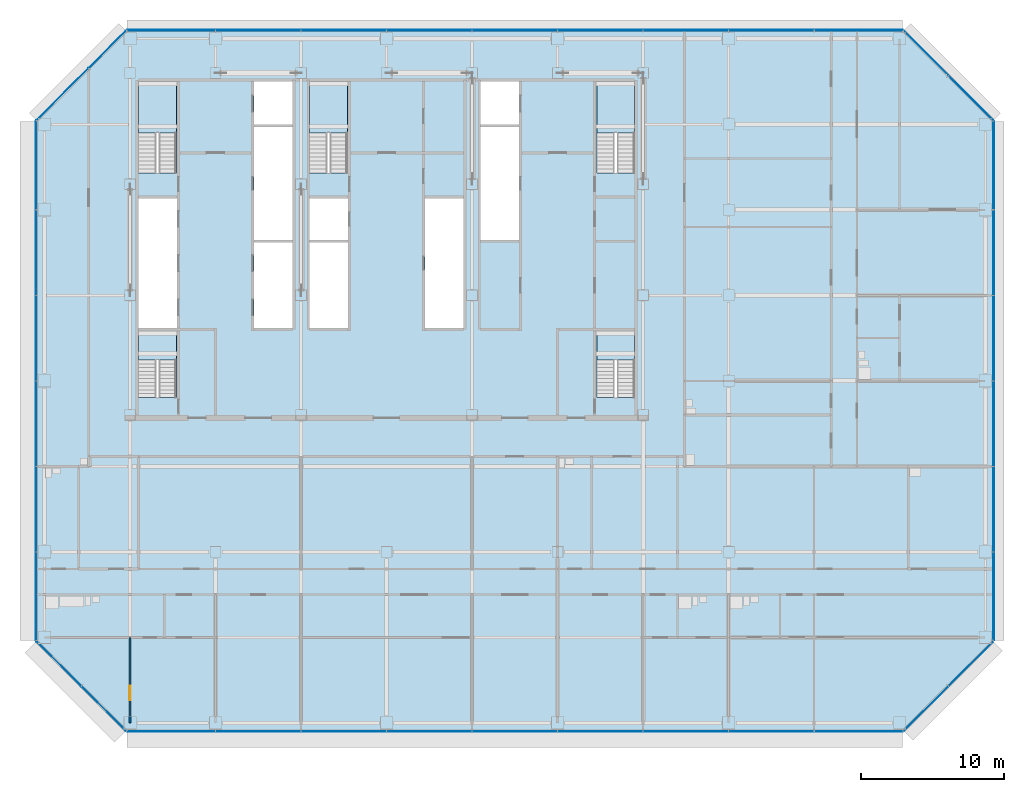
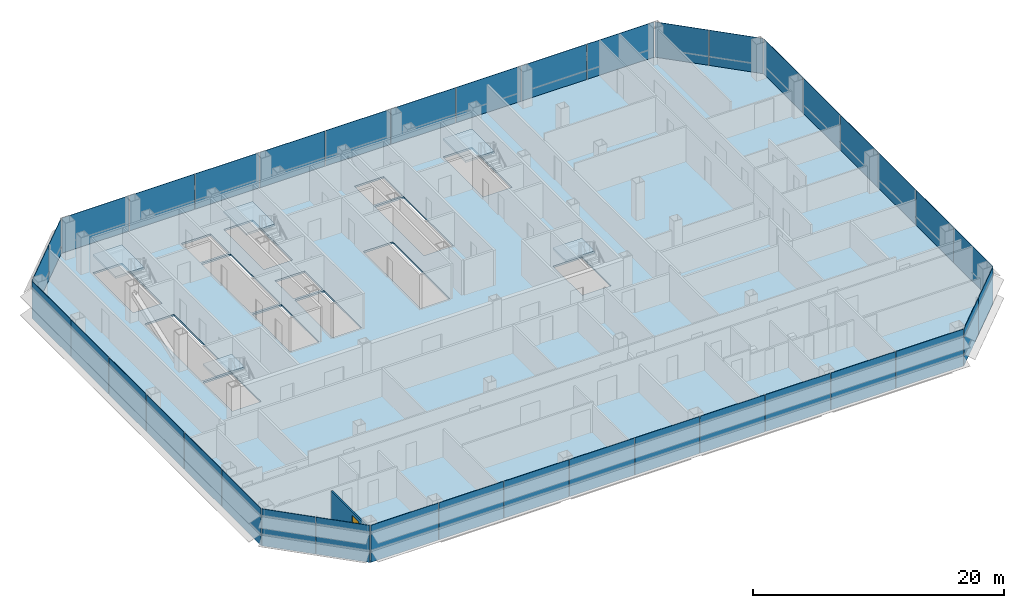
# One storey, part 19 of 27: 38 plates, 6 slabs, 1 door, 1 wall, 1 opening, 13 elements without a shape of their own.
"""IFC4 building model written with IfcOpenShell, lengths in metres."""

import ifcopenshell
import ifcopenshell.guid

model = None  # the IFC model being written
_history = None  # IfcOwnerHistory: only IFC2X3 demands one
_inside = {}  # id of a spatial element -> (the spatial element, [elements in it])
_under = {}  # id of a project, library or spatial element -> (it, [spatial elements below it])
_declared = {}  # id of a project -> (the project, [libraries it declares])
_typed = {}  # id of a type object -> (the type object, [elements of that type])
_made_of = {}  # id of a material, layer set ... -> (it, [elements and type objects made of it])


def new_model(schema):
    """Start an empty IFC model of exactly this schema.

    Asked for "IFC4X3", IfcOpenShell would pick the latest addendum, in which some entities
    have other attributes; the version numbers below select the first issue.
    IFC2X3 requires an IfcOwnerHistory on every rooted entity: one is made here for all.
    """
    global model, _history
    if schema == "IFC4X3":
        model = ifcopenshell.file(schema_version=(4, 3, 0, 0))
    else:
        model = ifcopenshell.file(schema=schema)
    _inside.clear()
    _under.clear()
    _declared.clear()
    _typed.clear()
    _made_of.clear()
    _history = None
    if model.schema == "IFC2X3":
        org = make("IfcOrganization", Name="unknown")
        user = make(
            "IfcPersonAndOrganization",
            ThePerson=make("IfcPerson", FamilyName="unknown"),
            TheOrganization=org,
        )
        app = make(
            "IfcApplication",
            ApplicationDeveloper=org,
            Version="unknown",
            ApplicationFullName="unknown",
            ApplicationIdentifier="unknown",
        )
        _history = make(
            "IfcOwnerHistory",
            OwningUser=user,
            OwningApplication=app,
            ChangeAction="ADDED",
            CreationDate=0,
        )
    return model


def make(cls, **values):
    """One entity of the class cls with the attributes given. An attribute that is None is left unset."""
    return model.create_entity(
        cls, **{name: value for name, value in values.items() if value is not None}
    )


def rooted(cls, **values):
    """An entity with a GlobalId (a new one), such as an element, a storey or a relation."""
    return make(cls, GlobalId=ifcopenshell.guid.new(), OwnerHistory=_history, **values)


def si_unit(unit_type, name, prefix=None):
    """IfcSIUnit, for example si_unit("LENGTHUNIT", "METRE", prefix="MILLI")."""
    return make("IfcSIUnit", UnitType=unit_type, Prefix=prefix, Name=name)


def assignment(units):
    """IfcUnitAssignment: the units of a project."""
    return None if units is None else make("IfcUnitAssignment", Units=units)


def point(xyz):
    """IfcCartesianPoint."""
    return None if xyz is None else make("IfcCartesianPoint", Coordinates=xyz)


def direction(xyz):
    """IfcDirection."""
    return None if xyz is None else make("IfcDirection", DirectionRatios=xyz)


def frame(location, z_axis=None, x_axis=None):
    """IfcAxis2Placement3D, a coordinate frame: its origin and axes. An axis left out is left unset."""
    return make(
        "IfcAxis2Placement3D",
        Location=point(location),
        Axis=direction(z_axis),
        RefDirection=direction(x_axis),
    )


def frame_2d(location, x_axis=None):
    """IfcAxis2Placement2D, a coordinate frame in the plane: its origin and x axis."""
    return make(
        "IfcAxis2Placement2D", Location=point(location), RefDirection=direction(x_axis)
    )


def origin():
    """The frame at (0, 0, 0) with its axes left unset."""
    return frame((0.0, 0.0, 0.0))


def origin_2d():
    """The frame at (0, 0) in the plane with its x axis left unset."""
    return frame_2d((0.0, 0.0))


def place(relative_to, where):
    """IfcLocalPlacement: puts the frame where relative to a parent placement (None: the world)."""
    return make(
        "IfcLocalPlacement", PlacementRelTo=relative_to, RelativePlacement=where
    )


def context(
    kind, dimensions, precision=None, world=None, true_north=None, identifier=None
):
    """IfcGeometricRepresentationContext, for example the 3D "Model" context."""
    return make(
        "IfcGeometricRepresentationContext",
        ContextIdentifier=identifier,
        ContextType=kind,
        CoordinateSpaceDimension=dimensions,
        Precision=precision,
        WorldCoordinateSystem=world,
        TrueNorth=true_north,
    )


def subcontext(parent, identifier, kind, view, scale=None):
    """IfcGeometricRepresentationSubContext, for example "Body" below "Model"."""
    return make(
        "IfcGeometricRepresentationSubContext",
        ContextIdentifier=identifier,
        ContextType=kind,
        ParentContext=parent,
        TargetScale=scale,
        TargetView=view,
    )


def project(units=None, contexts=None):
    """IfcProject with its units and contexts."""
    return rooted(
        "IfcProject",
        Name="project",
        RepresentationContexts=contexts,
        UnitsInContext=assignment(units),
    )


def spatial(cls, under=None, at=None, **own):
    """A site, building, storey or space (cls), placed at a placement, below another one or the project."""
    s = rooted(cls, ObjectPlacement=at, **own)
    if under is not None:
        _under.setdefault(under.id(), (under, []))[1].append(s)
    return s


def polyline(points):
    """IfcPolyline through the points."""
    return make("IfcPolyline", Points=[point(p) for p in points])


def profile(cls, at=None, kind="AREA", **sizes):
    """A parametric profile (cls). Its sizes go by their IFC names, for example OverallWidth=200.0."""
    return make(cls, ProfileType=kind, Position=at, **sizes)


def rectangle(**sizes):
    """IfcRectangleProfileDef."""
    return profile("IfcRectangleProfileDef", **sizes)


def outline(outer, holes=None, kind="AREA"):
    """IfcArbitraryClosedProfileDef: a profile drawn as a closed curve; with holes, ...WithVoids."""
    if holes is None:
        return make("IfcArbitraryClosedProfileDef", ProfileType=kind, OuterCurve=outer)
    return make(
        "IfcArbitraryProfileDefWithVoids",
        ProfileType=kind,
        OuterCurve=outer,
        InnerCurves=holes,
    )


def extrude(swept, where, along, depth):
    """IfcExtrudedAreaSolid: the profile swept, set in the frame where, extruded along a direction by depth."""
    return make(
        "IfcExtrudedAreaSolid",
        SweptArea=swept,
        Position=where,
        ExtrudedDirection=direction(along),
        Depth=depth,
    )


def shape(context_of_items, identifier, shape_type, items):
    """IfcShapeRepresentation: the items that make up one representation, for example the "Body"."""
    return make(
        "IfcShapeRepresentation",
        ContextOfItems=context_of_items,
        RepresentationIdentifier=identifier,
        RepresentationType=shape_type,
        Items=items,
    )


def material(Name=None, Category=None):
    """IfcMaterial."""
    return make("IfcMaterial", Name=Name, Category=Category)


def layer(
    of_material, thickness, ventilated=None, Name=None, Category=None, Priority=None
):
    """IfcMaterialLayer: one layer of a wall or slab, of a material (None: an air gap)."""
    return make(
        "IfcMaterialLayer",
        Material=of_material,
        LayerThickness=thickness,
        IsVentilated=ventilated,
        Name=Name,
        Category=Category,
        Priority=Priority,
    )


def layer_set(layers, Name=None):
    """IfcMaterialLayerSet."""
    return make("IfcMaterialLayerSet", MaterialLayers=layers, LayerSetName=Name)


def made_of(thing, what):
    """Note that an element or type object is made of a material, layer set ...; save() writes the relation."""
    if what is not None:
        _made_of.setdefault(what.id(), (what, []))[1].append(thing)
    return thing


def type_object(cls, material=None, **own):
    """A type object (cls), such as IfcWallType, which elements share."""
    return made_of(rooted(cls, **own), material)


def element(
    cls,
    number,
    at=None,
    inside=None,
    cuts=None,
    type_object=None,
    material=None,
    context=None,
    identifier="Body",
    shape_type=None,
    held_by="IfcProductDefinitionShape",
    body=None,
    shapes=None,
    **own,
):
    """One element of the class cls, such as IfcWall. Its Tag is "e" and its number.

    at: its placement. inside: the storey or other place that contains it. cuts: it is an
    opening in that element (IfcRelVoidsElement). A single representation is given by context,
    identifier, shape_type and body (its items); several are given by shapes. held_by: the class
    of the entity that holds the representations. save() writes the other relations.
    """
    e = rooted(cls, Tag="e%d" % number, ObjectPlacement=at, **own)
    if body is not None:
        shapes = [shape(context, identifier, shape_type, body)]
    if shapes is not None:
        e.Representation = make(held_by, Representations=shapes)
    if inside is not None:
        _inside.setdefault(inside.id(), (inside, []))[1].append(e)
    if cuts is not None:
        rooted(
            "IfcRelVoidsElement", RelatingBuildingElement=cuts, RelatedOpeningElement=e
        )
    if type_object is not None:
        _typed.setdefault(type_object.id(), (type_object, []))[1].append(e)
    return made_of(e, material)


def fill(opening, filler):
    """IfcRelFillsElement: the door or window that sits in an opening."""
    return rooted(
        "IfcRelFillsElement",
        RelatingOpeningElement=opening,
        RelatedBuildingElement=filler,
    )


def aggregate(whole, parts):
    """IfcRelAggregates: a whole, such as a stair, and the parts it consists of."""
    return rooted("IfcRelAggregates", RelatingObject=whole, RelatedObjects=parts)


def save(model, path):
    """Write the relations noted so far, then the file.

    IfcRelAggregates (storeys below a building ...), IfcRelContainedInSpatialStructure (elements
    in a storey), IfcRelDefinesByType, IfcRelAssociatesMaterial and IfcRelDeclares: one each for
    every whole, place, type object, material and project.
    """
    for whole, parts in _under.values():
        aggregate(whole, parts)
    for where, things in _inside.values():
        rooted(
            "IfcRelContainedInSpatialStructure",
            RelatedElements=things,
            RelatingStructure=where,
        )
    for kind, things in _typed.values():
        rooted("IfcRelDefinesByType", RelatedObjects=things, RelatingType=kind)
    for what, things in _made_of.values():
        rooted("IfcRelAssociatesMaterial", RelatedObjects=things, RelatingMaterial=what)
    for by, libraries in _declared.values():
        rooted("IfcRelDeclares", RelatingContext=by, RelatedDefinitions=libraries)
    model.write(path)


model = new_model("IFC4")

# Units and contexts
model_context = context("Model", 3, precision=1e-05, world=origin(), true_north=direction((0.0, 1.0)))
body_context = subcontext(model_context, "Body", "Model", "MODEL_VIEW")
ifc_project = project(units=[si_unit("LENGTHUNIT", "METRE"), si_unit("AREAUNIT", "SQUARE_METRE"), si_unit("VOLUMEUNIT", "CUBIC_METRE"), si_unit("PLANEANGLEUNIT", "RADIAN"), si_unit("MASSUNIT", "GRAM", prefix="KILO")], contexts=[model_context])

# Site, building, storey
site_placement = place(None, origin())
site = spatial("IfcSite", under=ifc_project, at=site_placement, CompositionType="ELEMENT")
building_placement = place(site_placement, origin())
building = spatial("IfcBuilding", under=site, at=building_placement, Name="Sorahane Residences", CompositionType="ELEMENT")
storey_placement = place(building_placement, frame((0.0, 0.0, 49.800048828125)))
storey = spatial("IfcBuildingStorey", under=building, at=storey_placement, Name="L08", CompositionType="ELEMENT", Elevation=49.800048828125)

# Slab
ifc_material_1 = material(Name="Concrete C35", Category="concrete")
ifc_layer_1 = layer(ifc_material_1, 0.179931640625)
ifc_layer_set_1 = layer_set([ifc_layer_1], Name="Composite floor slab 180 mm Concrete C35")
slab_type_1 = type_object("IfcSlabType", Name="Composite floor slab 180 mm Concrete C35", PredefinedType="FLOOR", material=ifc_layer_set_1)
slab_1_placement = place(storey_placement, frame((0.0, 0.0, -0.179931640625)))
element("IfcSlab", 1, at=slab_1_placement, inside=storey, type_object=slab_type_1, Name="Slab L08", PredefinedType="FLOOR", context=body_context, shape_type="SweptSolid", body=[
    extrude(outline(polyline([(5.75146484375, -0.60009765625), (-0.60009765625, 5.75146484375), (-0.60009765625, 42.24853515625), (5.75146484375, 48.60009765625), (60.24853515625, 48.60009765625), (66.60009765625, 42.24853515625), (66.60009765625, 5.75146484375), (60.24853515625, -0.60009765625), (5.75146484375, -0.60009765625)]), holes=[polyline([(18.60009765625, 27.699951171875), (21.300048828125, 27.699951171875), (21.300048828125, 33.699951171875), (18.60009765625, 33.699951171875), (18.60009765625, 27.699951171875)]), polyline([(30.60009765625, 42.0), (33.300048828125, 42.0), (33.300048828125, 45.0), (30.60009765625, 45.0), (30.60009765625, 42.0)]), polyline([(14.699951171875, 27.699951171875), (17.39990234375, 27.699951171875), (17.39990234375, 33.699951171875), (14.699951171875, 33.699951171875), (14.699951171875, 27.699951171875)]), polyline([(14.699951171875, 42.0), (17.39990234375, 42.0), (17.39990234375, 45.0), (14.699951171875, 45.0), (14.699951171875, 42.0)]), polyline([(6.60009765625, 27.699951171875), (9.300048828125, 27.699951171875), (9.300048828125, 36.800048828125), (6.60009765625, 36.800048828125), (6.60009765625, 27.699951171875)]), polyline([(9.25, 38.60009765625), (9.25, 45.0), (6.60009765625, 45.0), (6.60009765625, 38.60009765625), (9.25, 38.60009765625)]), polyline([(41.39990234375, 38.60009765625), (41.39990234375, 45.0), (38.75, 45.0), (38.75, 38.60009765625), (41.39990234375, 38.60009765625)]), polyline([(21.25, 38.60009765625), (21.25, 45.0), (18.60009765625, 45.0), (18.60009765625, 38.60009765625), (21.25, 38.60009765625)]), polyline([(9.25, 22.85009765625), (9.25, 27.5), (6.60009765625, 27.5), (6.60009765625, 22.85009765625), (9.25, 22.85009765625)]), polyline([(41.39990234375, 22.85009765625), (41.39990234375, 27.5), (38.75, 27.5), (38.75, 22.85009765625), (41.39990234375, 22.85009765625)]), polyline([(14.699951171875, 33.89990234375), (17.39990234375, 33.89990234375), (17.39990234375, 41.800048828125), (14.699951171875, 41.800048828125), (14.699951171875, 33.89990234375)]), polyline([(30.60009765625, 33.89990234375), (33.300048828125, 33.89990234375), (33.300048828125, 41.800048828125), (30.60009765625, 41.800048828125), (30.60009765625, 33.89990234375)]), polyline([(18.60009765625, 33.89990234375), (21.300048828125, 33.89990234375), (21.300048828125, 36.800048828125), (18.60009765625, 36.800048828125), (18.60009765625, 33.89990234375)]), polyline([(26.699951171875, 27.699951171875), (29.39990234375, 27.699951171875), (29.39990234375, 36.800048828125), (26.699951171875, 36.800048828125), (26.699951171875, 27.699951171875)])]), origin(), (0.0, 0.0, 1.0), 0.179931640625),
])

# Curtain wall, plates
ifc_material_2 = material(Name="Dark low-e glass and black anodised aluminium", Category="aluminium")
curtain_wall_type_1 = type_object("IfcCurtainWallType", Name="Curtain wall CW-1 Typical unitised wall", PredefinedType="NOTDEFINED", material=ifc_material_2)
curtain_wall_1_placement = place(storey_placement, origin())
curtain_wall_1 = element("IfcCurtainWall", 2, at=curtain_wall_1_placement, inside=storey, type_object=curtain_wall_type_1, Name="CW-1 curtain wall L08 S1", PredefinedType="NOTDEFINED")
ifc_material_3 = material(Name="Dark low-e glass with black ceramic frit", Category="glass")
ifc_layer_2 = layer(ifc_material_3, 0.0400390625)
ifc_layer_set_2 = layer_set([ifc_layer_2], Name="Curtain wall glass panel dark low-e with black frit spandrel band")
plate_type = type_object("IfcPlateType", Name="Curtain wall glass panel dark low-e with black frit spandrel band", PredefinedType="CURTAIN_PANEL", material=ifc_layer_set_2)
plate_1_placement = place(storey_placement, frame((8.88818359375, -0.60009765625, -0.18017578125), z_axis=(0.0, 0.0, 1.0), x_axis=(1.0, 0.0, 0.0)))
plate_1 = element("IfcPlate", 3, at=plate_1_placement, type_object=plate_type, Name="CW-1 glass panel L08 S1.1", PredefinedType="CURTAIN_PANEL", context=body_context, shape_type="SweptSolid", body=[
    extrude(rectangle(XDim=6.173583984375, YDim=0.0400390625, at=origin_2d()), origin(), (0.0, 0.0, 1.0), 3.60009765625),
])
plate_2_placement = place(storey_placement, frame((15.0, -0.60009765625, -0.18017578125), z_axis=(0.0, 0.0, 1.0), x_axis=(1.0, 0.0, 0.0)))
plate_2 = element("IfcPlate", 4, at=plate_2_placement, type_object=plate_type, Name="CW-1 glass panel L08 S1.2", PredefinedType="CURTAIN_PANEL", context=body_context, shape_type="SweptSolid", body=[
    extrude(rectangle(XDim=5.949951171875, YDim=0.0400390625, at=origin_2d()), origin(), (0.0, 0.0, 1.0), 3.60009765625),
])
plate_3_placement = place(storey_placement, frame((21.0, -0.60009765625, -0.18017578125), z_axis=(0.0, 0.0, 1.0), x_axis=(1.0, 0.0, 0.0)))
plate_3 = element("IfcPlate", 5, at=plate_3_placement, type_object=plate_type, Name="CW-1 glass panel L08 S1.3", PredefinedType="CURTAIN_PANEL", context=body_context, shape_type="SweptSolid", body=[
    extrude(rectangle(XDim=5.949951171875, YDim=0.0400390625, at=origin_2d()), origin(), (0.0, 0.0, 1.0), 3.60009765625),
])
plate_4_placement = place(storey_placement, frame((27.0, -0.60009765625, -0.18017578125), z_axis=(0.0, 0.0, 1.0), x_axis=(1.0, 0.0, 0.0)))
plate_4 = element("IfcPlate", 6, at=plate_4_placement, type_object=plate_type, Name="CW-1 glass panel L08 S1.4", PredefinedType="CURTAIN_PANEL", context=body_context, shape_type="SweptSolid", body=[
    extrude(rectangle(XDim=5.949951171875, YDim=0.0400390625, at=origin_2d()), origin(), (0.0, 0.0, 1.0), 3.60009765625),
])
plate_5_placement = place(storey_placement, frame((33.0, -0.60009765625, -0.18017578125), z_axis=(0.0, 0.0, 1.0), x_axis=(1.0, 0.0, 0.0)))
plate_5 = element("IfcPlate", 7, at=plate_5_placement, type_object=plate_type, Name="CW-1 glass panel L08 S1.5", PredefinedType="CURTAIN_PANEL", context=body_context, shape_type="SweptSolid", body=[
    extrude(rectangle(XDim=5.949951171875, YDim=0.0400390625, at=origin_2d()), origin(), (0.0, 0.0, 1.0), 3.60009765625),
])
plate_6_placement = place(storey_placement, frame((39.0, -0.60009765625, -0.18017578125), z_axis=(0.0, 0.0, 1.0), x_axis=(1.0, 0.0, 0.0)))
plate_6 = element("IfcPlate", 8, at=plate_6_placement, type_object=plate_type, Name="CW-1 glass panel L08 S1.6", PredefinedType="CURTAIN_PANEL", context=body_context, shape_type="SweptSolid", body=[
    extrude(rectangle(XDim=5.949951171875, YDim=0.0400390625, at=origin_2d()), origin(), (0.0, 0.0, 1.0), 3.60009765625),
])
plate_7_placement = place(storey_placement, frame((45.0, -0.60009765625, -0.18017578125), z_axis=(0.0, 0.0, 1.0), x_axis=(1.0, 0.0, 0.0)))
plate_7 = element("IfcPlate", 9, at=plate_7_placement, type_object=plate_type, Name="CW-1 glass panel L08 S1.7", PredefinedType="CURTAIN_PANEL", context=body_context, shape_type="SweptSolid", body=[
    extrude(rectangle(XDim=5.949951171875, YDim=0.0400390625, at=origin_2d()), origin(), (0.0, 0.0, 1.0), 3.60009765625),
])
plate_8_placement = place(storey_placement, frame((51.0, -0.60009765625, -0.18017578125), z_axis=(0.0, 0.0, 1.0), x_axis=(1.0, 0.0, 0.0)))
plate_8 = element("IfcPlate", 10, at=plate_8_placement, type_object=plate_type, Name="CW-1 glass panel L08 S1.8", PredefinedType="CURTAIN_PANEL", context=body_context, shape_type="SweptSolid", body=[
    extrude(rectangle(XDim=5.949951171875, YDim=0.0400390625, at=origin_2d()), origin(), (0.0, 0.0, 1.0), 3.60009765625),
])
plate_9_placement = place(storey_placement, frame((57.11181640625, -0.60009765625, -0.18017578125), z_axis=(0.0, 0.0, 1.0), x_axis=(1.0, 0.0, 0.0)))
plate_9 = element("IfcPlate", 11, at=plate_9_placement, type_object=plate_type, Name="CW-1 glass panel L08 S1.9", PredefinedType="CURTAIN_PANEL", context=body_context, shape_type="SweptSolid", body=[
    extrude(rectangle(XDim=6.173583984375, YDim=0.0400390625, at=origin_2d()), origin(), (0.0, 0.0, 1.0), 3.60009765625),
])
aggregate(curtain_wall_1, [plate_1, plate_2, plate_3, plate_4, plate_5, plate_6, plate_7, plate_8, plate_9])

ifc_material_4 = material(Name="Dark low-e glass and black anodised aluminium", Category="aluminium")
curtain_wall_type_2 = type_object("IfcCurtainWallType", Name="Curtain wall CW-2 Chamfer unitised wall", PredefinedType="NOTDEFINED", material=ifc_material_4)
curtain_wall_2_placement = place(storey_placement, origin())
curtain_wall_2 = element("IfcCurtainWall", 12, at=curtain_wall_2_placement, inside=storey, type_object=curtain_wall_type_2, Name="CW-2 curtain wall L08 SE1", PredefinedType="NOTDEFINED")
plate_10_placement = place(storey_placement, frame((61.84521484375, 0.996826171875, -0.18017578125), z_axis=(0.0, 0.0, 1.0), x_axis=(0.707106781187, 0.707106781187, 0.0)))
plate_10 = element("IfcPlate", 13, at=plate_10_placement, type_object=plate_type, Name="CW-2 glass panel L08 SE1.1", PredefinedType="CURTAIN_PANEL", context=body_context, shape_type="SweptSolid", body=[
    extrude(rectangle(XDim=4.416259765625, YDim=0.0400390625, at=origin_2d()), origin(), (0.0, 0.0, 1.0), 3.60009765625),
])
plate_11_placement = place(storey_placement, frame((65.003173828125, 4.15478515625, -0.18017578125), z_axis=(0.0, 0.0, 1.0), x_axis=(0.707106781187, 0.707106781187, 0.0)))
plate_11 = element("IfcPlate", 14, at=plate_11_placement, type_object=plate_type, Name="CW-2 glass panel L08 SE1.2", PredefinedType="CURTAIN_PANEL", context=body_context, shape_type="SweptSolid", body=[
    extrude(rectangle(XDim=4.416259765625, YDim=0.0400390625, at=origin_2d()), origin(), (0.0, 0.0, 1.0), 3.60009765625),
])
aggregate(curtain_wall_2, [plate_10, plate_11])

curtain_wall_3_placement = place(storey_placement, origin())
curtain_wall_3 = element("IfcCurtainWall", 15, at=curtain_wall_3_placement, inside=storey, type_object=curtain_wall_type_1, Name="CW-1 curtain wall L08 E1", PredefinedType="NOTDEFINED")
plate_12_placement = place(storey_placement, frame((66.60009765625, 8.88818359375, -0.18017578125), z_axis=(0.0, 0.0, 1.0), x_axis=(0.0, 1.0, 0.0)))
plate_12 = element("IfcPlate", 16, at=plate_12_placement, type_object=plate_type, Name="CW-1 glass panel L08 E1.1", PredefinedType="CURTAIN_PANEL", context=body_context, shape_type="SweptSolid", body=[
    extrude(rectangle(XDim=6.173583984375, YDim=0.0400390625, at=origin_2d()), origin(), (0.0, 0.0, 1.0), 3.60009765625),
])
plate_13_placement = place(storey_placement, frame((66.60009765625, 15.0, -0.18017578125), z_axis=(0.0, 0.0, 1.0), x_axis=(0.0, 1.0, 0.0)))
plate_13 = element("IfcPlate", 17, at=plate_13_placement, type_object=plate_type, Name="CW-1 glass panel L08 E1.2", PredefinedType="CURTAIN_PANEL", context=body_context, shape_type="SweptSolid", body=[
    extrude(rectangle(XDim=5.949951171875, YDim=0.0400390625, at=origin_2d()), origin(), (0.0, 0.0, 1.0), 3.60009765625),
])
plate_14_placement = place(storey_placement, frame((66.60009765625, 21.0, -0.18017578125), z_axis=(0.0, 0.0, 1.0), x_axis=(0.0, 1.0, 0.0)))
plate_14 = element("IfcPlate", 18, at=plate_14_placement, type_object=plate_type, Name="CW-1 glass panel L08 E1.3", PredefinedType="CURTAIN_PANEL", context=body_context, shape_type="SweptSolid", body=[
    extrude(rectangle(XDim=5.949951171875, YDim=0.0400390625, at=origin_2d()), origin(), (0.0, 0.0, 1.0), 3.60009765625),
])
plate_15_placement = place(storey_placement, frame((66.60009765625, 27.0, -0.18017578125), z_axis=(0.0, 0.0, 1.0), x_axis=(0.0, 1.0, 0.0)))
plate_15 = element("IfcPlate", 19, at=plate_15_placement, type_object=plate_type, Name="CW-1 glass panel L08 E1.4", PredefinedType="CURTAIN_PANEL", context=body_context, shape_type="SweptSolid", body=[
    extrude(rectangle(XDim=5.949951171875, YDim=0.0400390625, at=origin_2d()), origin(), (0.0, 0.0, 1.0), 3.60009765625),
])
plate_16_placement = place(storey_placement, frame((66.60009765625, 33.0, -0.18017578125), z_axis=(0.0, 0.0, 1.0), x_axis=(0.0, 1.0, 0.0)))
plate_16 = element("IfcPlate", 20, at=plate_16_placement, type_object=plate_type, Name="CW-1 glass panel L08 E1.5", PredefinedType="CURTAIN_PANEL", context=body_context, shape_type="SweptSolid", body=[
    extrude(rectangle(XDim=5.949951171875, YDim=0.0400390625, at=origin_2d()), origin(), (0.0, 0.0, 1.0), 3.60009765625),
])
plate_17_placement = place(storey_placement, frame((66.60009765625, 39.11181640625, -0.18017578125), z_axis=(0.0, 0.0, 1.0), x_axis=(0.0, 1.0, 0.0)))
plate_17 = element("IfcPlate", 21, at=plate_17_placement, type_object=plate_type, Name="CW-1 glass panel L08 E1.6", PredefinedType="CURTAIN_PANEL", context=body_context, shape_type="SweptSolid", body=[
    extrude(rectangle(XDim=6.173583984375, YDim=0.0400390625, at=origin_2d()), origin(), (0.0, 0.0, 1.0), 3.60009765625),
])
aggregate(curtain_wall_3, [plate_12, plate_13, plate_14, plate_15, plate_16, plate_17])

curtain_wall_4_placement = place(storey_placement, origin())
curtain_wall_4 = element("IfcCurtainWall", 22, at=curtain_wall_4_placement, inside=storey, type_object=curtain_wall_type_2, Name="CW-2 curtain wall L08 NE1", PredefinedType="NOTDEFINED")
plate_18_placement = place(storey_placement, frame((65.003173828125, 43.84521484375, -0.18017578125), z_axis=(0.0, 0.0, 1.0), x_axis=(-0.707106781187, 0.707106781187, 0.0)))
plate_18 = element("IfcPlate", 23, at=plate_18_placement, type_object=plate_type, Name="CW-2 glass panel L08 NE1.1", PredefinedType="CURTAIN_PANEL", context=body_context, shape_type="SweptSolid", body=[
    extrude(rectangle(XDim=4.416259765625, YDim=0.0400390625, at=origin_2d()), origin(), (0.0, 0.0, 1.0), 3.60009765625),
])
plate_19_placement = place(storey_placement, frame((61.84521484375, 47.003173828125, -0.18017578125), z_axis=(0.0, 0.0, 1.0), x_axis=(-0.707106781187, 0.707106781187, 0.0)))
plate_19 = element("IfcPlate", 24, at=plate_19_placement, type_object=plate_type, Name="CW-2 glass panel L08 NE1.2", PredefinedType="CURTAIN_PANEL", context=body_context, shape_type="SweptSolid", body=[
    extrude(rectangle(XDim=4.416259765625, YDim=0.0400390625, at=origin_2d()), origin(), (0.0, 0.0, 1.0), 3.60009765625),
])
aggregate(curtain_wall_4, [plate_18, plate_19])

curtain_wall_5_placement = place(storey_placement, origin())
curtain_wall_5 = element("IfcCurtainWall", 25, at=curtain_wall_5_placement, inside=storey, type_object=curtain_wall_type_1, Name="CW-1 curtain wall L08 N1", PredefinedType="NOTDEFINED")
plate_20_placement = place(storey_placement, frame((57.11181640625, 48.60009765625, -0.18017578125), z_axis=(0.0, 0.0, 1.0), x_axis=(-1.0, 0.0, 0.0)))
plate_20 = element("IfcPlate", 26, at=plate_20_placement, type_object=plate_type, Name="CW-1 glass panel L08 N1.1", PredefinedType="CURTAIN_PANEL", context=body_context, shape_type="SweptSolid", body=[
    extrude(rectangle(XDim=6.173583984375, YDim=0.0400390625, at=origin_2d()), origin(), (0.0, 0.0, 1.0), 3.60009765625),
])
plate_21_placement = place(storey_placement, frame((51.0, 48.60009765625, -0.18017578125), z_axis=(0.0, 0.0, 1.0), x_axis=(-1.0, 0.0, 0.0)))
plate_21 = element("IfcPlate", 27, at=plate_21_placement, type_object=plate_type, Name="CW-1 glass panel L08 N1.2", PredefinedType="CURTAIN_PANEL", context=body_context, shape_type="SweptSolid", body=[
    extrude(rectangle(XDim=5.949951171875, YDim=0.0400390625, at=origin_2d()), origin(), (0.0, 0.0, 1.0), 3.60009765625),
])
plate_22_placement = place(storey_placement, frame((45.0, 48.60009765625, -0.18017578125), z_axis=(0.0, 0.0, 1.0), x_axis=(-1.0, 0.0, 0.0)))
plate_22 = element("IfcPlate", 28, at=plate_22_placement, type_object=plate_type, Name="CW-1 glass panel L08 N1.3", PredefinedType="CURTAIN_PANEL", context=body_context, shape_type="SweptSolid", body=[
    extrude(rectangle(XDim=5.949951171875, YDim=0.0400390625, at=origin_2d()), origin(), (0.0, 0.0, 1.0), 3.60009765625),
])
plate_23_placement = place(storey_placement, frame((39.0, 48.60009765625, -0.18017578125), z_axis=(0.0, 0.0, 1.0), x_axis=(-1.0, 0.0, 0.0)))
plate_23 = element("IfcPlate", 29, at=plate_23_placement, type_object=plate_type, Name="CW-1 glass panel L08 N1.4", PredefinedType="CURTAIN_PANEL", context=body_context, shape_type="SweptSolid", body=[
    extrude(rectangle(XDim=5.949951171875, YDim=0.0400390625, at=origin_2d()), origin(), (0.0, 0.0, 1.0), 3.60009765625),
])
plate_24_placement = place(storey_placement, frame((33.0, 48.60009765625, -0.18017578125), z_axis=(0.0, 0.0, 1.0), x_axis=(-1.0, 0.0, 0.0)))
plate_24 = element("IfcPlate", 30, at=plate_24_placement, type_object=plate_type, Name="CW-1 glass panel L08 N1.5", PredefinedType="CURTAIN_PANEL", context=body_context, shape_type="SweptSolid", body=[
    extrude(rectangle(XDim=5.949951171875, YDim=0.0400390625, at=origin_2d()), origin(), (0.0, 0.0, 1.0), 3.60009765625),
])
plate_25_placement = place(storey_placement, frame((27.0, 48.60009765625, -0.18017578125), z_axis=(0.0, 0.0, 1.0), x_axis=(-1.0, 0.0, 0.0)))
plate_25 = element("IfcPlate", 31, at=plate_25_placement, type_object=plate_type, Name="CW-1 glass panel L08 N1.6", PredefinedType="CURTAIN_PANEL", context=body_context, shape_type="SweptSolid", body=[
    extrude(rectangle(XDim=5.949951171875, YDim=0.0400390625, at=origin_2d()), origin(), (0.0, 0.0, 1.0), 3.60009765625),
])
plate_26_placement = place(storey_placement, frame((21.0, 48.60009765625, -0.18017578125), z_axis=(0.0, 0.0, 1.0), x_axis=(-1.0, 0.0, 0.0)))
plate_26 = element("IfcPlate", 32, at=plate_26_placement, type_object=plate_type, Name="CW-1 glass panel L08 N1.7", PredefinedType="CURTAIN_PANEL", context=body_context, shape_type="SweptSolid", body=[
    extrude(rectangle(XDim=5.949951171875, YDim=0.0400390625, at=origin_2d()), origin(), (0.0, 0.0, 1.0), 3.60009765625),
])
plate_27_placement = place(storey_placement, frame((15.0, 48.60009765625, -0.18017578125), z_axis=(0.0, 0.0, 1.0), x_axis=(-1.0, 0.0, 0.0)))
plate_27 = element("IfcPlate", 33, at=plate_27_placement, type_object=plate_type, Name="CW-1 glass panel L08 N1.8", PredefinedType="CURTAIN_PANEL", context=body_context, shape_type="SweptSolid", body=[
    extrude(rectangle(XDim=5.949951171875, YDim=0.0400390625, at=origin_2d()), origin(), (0.0, 0.0, 1.0), 3.60009765625),
])
plate_28_placement = place(storey_placement, frame((8.88818359375, 48.60009765625, -0.18017578125), z_axis=(0.0, 0.0, 1.0), x_axis=(-1.0, 0.0, 0.0)))
plate_28 = element("IfcPlate", 34, at=plate_28_placement, type_object=plate_type, Name="CW-1 glass panel L08 N1.9", PredefinedType="CURTAIN_PANEL", context=body_context, shape_type="SweptSolid", body=[
    extrude(rectangle(XDim=6.173583984375, YDim=0.0400390625, at=origin_2d()), origin(), (0.0, 0.0, 1.0), 3.60009765625),
])
aggregate(curtain_wall_5, [plate_20, plate_21, plate_22, plate_23, plate_24, plate_25, plate_26, plate_27, plate_28])

curtain_wall_6_placement = place(storey_placement, origin())
curtain_wall_6 = element("IfcCurtainWall", 35, at=curtain_wall_6_placement, inside=storey, type_object=curtain_wall_type_2, Name="CW-2 curtain wall L08 NW1", PredefinedType="NOTDEFINED")
plate_29_placement = place(storey_placement, frame((4.4169921875, 47.265625, -0.18017578125), z_axis=(0.0, 0.0, 1.0), x_axis=(-0.707106781187, -0.707106781187, 0.0)))
plate_29 = element("IfcPlate", 36, at=plate_29_placement, type_object=plate_type, Name="CW-2 glass panel L08 NW1.1", PredefinedType="CURTAIN_PANEL", context=body_context, shape_type="SweptSolid", body=[
    extrude(rectangle(XDim=3.67431640625, YDim=0.0400390625, at=origin_2d()), origin(), (0.0, 0.0, 1.0), 3.60009765625),
])
plate_30_placement = place(storey_placement, frame((1.259033203125, 44.107421875, -0.18017578125), z_axis=(0.0, 0.0, 1.0), x_axis=(-0.707106781187, -0.707106781187, 0.0)))
plate_30 = element("IfcPlate", 37, at=plate_30_placement, type_object=plate_type, Name="CW-2 glass panel L08 NW1.2", PredefinedType="CURTAIN_PANEL", context=body_context, shape_type="SweptSolid", body=[
    extrude(rectangle(XDim=5.157958984375, YDim=0.0400390625, at=origin_2d()), origin(), (0.0, 0.0, 1.0), 3.60009765625),
])
aggregate(curtain_wall_6, [plate_29, plate_30])

curtain_wall_7_placement = place(storey_placement, origin())
curtain_wall_7 = element("IfcCurtainWall", 38, at=curtain_wall_7_placement, inside=storey, type_object=curtain_wall_type_1, Name="CW-1 curtain wall L08 W1", PredefinedType="NOTDEFINED")
plate_31_placement = place(storey_placement, frame((-0.60009765625, 39.11181640625, -0.18017578125), z_axis=(0.0, 0.0, 1.0), x_axis=(0.0, -1.0, 0.0)))
plate_31 = element("IfcPlate", 39, at=plate_31_placement, type_object=plate_type, Name="CW-1 glass panel L08 W1.1", PredefinedType="CURTAIN_PANEL", context=body_context, shape_type="SweptSolid", body=[
    extrude(rectangle(XDim=6.173583984375, YDim=0.0400390625, at=origin_2d()), origin(), (0.0, 0.0, 1.0), 3.60009765625),
])
plate_32_placement = place(storey_placement, frame((-0.60009765625, 33.0, -0.18017578125), z_axis=(0.0, 0.0, 1.0), x_axis=(0.0, -1.0, 0.0)))
plate_32 = element("IfcPlate", 40, at=plate_32_placement, type_object=plate_type, Name="CW-1 glass panel L08 W1.2", PredefinedType="CURTAIN_PANEL", context=body_context, shape_type="SweptSolid", body=[
    extrude(rectangle(XDim=5.949951171875, YDim=0.0400390625, at=origin_2d()), origin(), (0.0, 0.0, 1.0), 3.60009765625),
])
plate_33_placement = place(storey_placement, frame((-0.60009765625, 27.0, -0.18017578125), z_axis=(0.0, 0.0, 1.0), x_axis=(0.0, -1.0, 0.0)))
plate_33 = element("IfcPlate", 41, at=plate_33_placement, type_object=plate_type, Name="CW-1 glass panel L08 W1.3", PredefinedType="CURTAIN_PANEL", context=body_context, shape_type="SweptSolid", body=[
    extrude(rectangle(XDim=5.949951171875, YDim=0.0400390625, at=origin_2d()), origin(), (0.0, 0.0, 1.0), 3.60009765625),
])
plate_34_placement = place(storey_placement, frame((-0.60009765625, 21.0, -0.18017578125), z_axis=(0.0, 0.0, 1.0), x_axis=(0.0, -1.0, 0.0)))
plate_34 = element("IfcPlate", 42, at=plate_34_placement, type_object=plate_type, Name="CW-1 glass panel L08 W1.4", PredefinedType="CURTAIN_PANEL", context=body_context, shape_type="SweptSolid", body=[
    extrude(rectangle(XDim=5.949951171875, YDim=0.0400390625, at=origin_2d()), origin(), (0.0, 0.0, 1.0), 3.60009765625),
])
plate_35_placement = place(storey_placement, frame((-0.60009765625, 15.0, -0.18017578125), z_axis=(0.0, 0.0, 1.0), x_axis=(0.0, -1.0, 0.0)))
plate_35 = element("IfcPlate", 43, at=plate_35_placement, type_object=plate_type, Name="CW-1 glass panel L08 W1.5", PredefinedType="CURTAIN_PANEL", context=body_context, shape_type="SweptSolid", body=[
    extrude(rectangle(XDim=5.949951171875, YDim=0.0400390625, at=origin_2d()), origin(), (0.0, 0.0, 1.0), 3.60009765625),
])
plate_36_placement = place(storey_placement, frame((-0.60009765625, 8.88818359375, -0.18017578125), z_axis=(0.0, 0.0, 1.0), x_axis=(0.0, -1.0, 0.0)))
plate_36 = element("IfcPlate", 44, at=plate_36_placement, type_object=plate_type, Name="CW-1 glass panel L08 W1.6", PredefinedType="CURTAIN_PANEL", context=body_context, shape_type="SweptSolid", body=[
    extrude(rectangle(XDim=6.173583984375, YDim=0.0400390625, at=origin_2d()), origin(), (0.0, 0.0, 1.0), 3.60009765625),
])
aggregate(curtain_wall_7, [plate_31, plate_32, plate_33, plate_34, plate_35, plate_36])

curtain_wall_8_placement = place(storey_placement, origin())
curtain_wall_8 = element("IfcCurtainWall", 45, at=curtain_wall_8_placement, inside=storey, type_object=curtain_wall_type_2, Name="CW-2 curtain wall L08 SW1", PredefinedType="NOTDEFINED")
plate_37_placement = place(storey_placement, frame((0.996826171875, 4.15478515625, -0.18017578125), z_axis=(0.0, 0.0, 1.0), x_axis=(0.707106781187, -0.707106781187, 0.0)))
plate_37 = element("IfcPlate", 46, at=plate_37_placement, type_object=plate_type, Name="CW-2 glass panel L08 SW1.1", PredefinedType="CURTAIN_PANEL", context=body_context, shape_type="SweptSolid", body=[
    extrude(rectangle(XDim=4.416259765625, YDim=0.0400390625, at=origin_2d()), origin(), (0.0, 0.0, 1.0), 3.60009765625),
])
plate_38_placement = place(storey_placement, frame((4.15478515625, 0.996826171875, -0.18017578125), z_axis=(0.0, 0.0, 1.0), x_axis=(0.707106781187, -0.707106781187, 0.0)))
plate_38 = element("IfcPlate", 47, at=plate_38_placement, type_object=plate_type, Name="CW-2 glass panel L08 SW1.2", PredefinedType="CURTAIN_PANEL", context=body_context, shape_type="SweptSolid", body=[
    extrude(rectangle(XDim=4.416259765625, YDim=0.0400390625, at=origin_2d()), origin(), (0.0, 0.0, 1.0), 3.60009765625),
])
aggregate(curtain_wall_8, [plate_37, plate_38])

# Stair, slab
ifc_material_5 = material(Name="Concrete C40", Category="concrete")
stair_type = type_object("IfcStairType", Name="Dog-leg stair 1250 Concrete C40", PredefinedType="HALF_TURN_STAIR", material=ifc_material_5)
stair_1_placement = place(storey_placement, origin())
stair_1 = element("IfcStair", 48, at=stair_1_placement, inside=storey, type_object=stair_type, Name="L08 Stair S1", PredefinedType="HALF_TURN_STAIR")
ifc_material_6 = material(Name="Concrete C40", Category="concrete")
ifc_layer_3 = layer(ifc_material_6, 0.199951171875)
ifc_layer_set_3 = layer_set([ifc_layer_3], Name="Stair landing 200 Concrete C40")
slab_type_2 = type_object("IfcSlabType", Name="Stair landing 200 Concrete C40", PredefinedType="LANDING", material=ifc_layer_set_3)
slab_2_placement = place(storey_placement, frame((0.0, 0.0, 1.599853515625)))
slab_2 = element("IfcSlab", 49, at=slab_2_placement, type_object=slab_type_2, Name="S1 landing 1", PredefinedType="LANDING", context=body_context, shape_type="SweptSolid", body=[
    extrude(outline(polyline([(9.25, 41.39990234375), (9.25, 45.0), (6.60009765625, 45.0), (6.60009765625, 41.39990234375), (9.25, 41.39990234375)])), origin(), (0.0, 0.0, 1.0), 0.2001953125),
])
aggregate(stair_1, [slab_2])

stair_2_placement = place(storey_placement, origin())
stair_2 = element("IfcStair", 50, at=stair_2_placement, inside=storey, type_object=stair_type, Name="L08 Stair S2", PredefinedType="HALF_TURN_STAIR")
slab_3_placement = place(storey_placement, frame((0.0, 0.0, 1.599853515625)))
slab_3 = element("IfcSlab", 51, at=slab_3_placement, type_object=slab_type_2, Name="S2 landing 1", PredefinedType="LANDING", context=body_context, shape_type="SweptSolid", body=[
    extrude(outline(polyline([(41.39990234375, 41.39990234375), (41.39990234375, 45.0), (38.75, 45.0), (38.75, 41.39990234375), (41.39990234375, 41.39990234375)])), origin(), (0.0, 0.0, 1.0), 0.2001953125),
])
aggregate(stair_2, [slab_3])

stair_3_placement = place(storey_placement, origin())
stair_3 = element("IfcStair", 52, at=stair_3_placement, inside=storey, type_object=stair_type, Name="L08 Stair S3", PredefinedType="HALF_TURN_STAIR")
slab_4_placement = place(storey_placement, frame((0.0, 0.0, 1.599853515625)))
slab_4 = element("IfcSlab", 53, at=slab_4_placement, type_object=slab_type_2, Name="S3 landing 1", PredefinedType="LANDING", context=body_context, shape_type="SweptSolid", body=[
    extrude(outline(polyline([(21.25, 41.39990234375), (21.25, 45.0), (18.60009765625, 45.0), (18.60009765625, 41.39990234375), (21.25, 41.39990234375)])), origin(), (0.0, 0.0, 1.0), 0.2001953125),
])
aggregate(stair_3, [slab_4])

stair_4_placement = place(storey_placement, origin())
stair_4 = element("IfcStair", 54, at=stair_4_placement, inside=storey, type_object=stair_type, Name="L08 Stair S4", PredefinedType="HALF_TURN_STAIR")
slab_5_placement = place(storey_placement, frame((0.0, 0.0, 1.599853515625)))
slab_5 = element("IfcSlab", 55, at=slab_5_placement, type_object=slab_type_2, Name="S4 landing 1", PredefinedType="LANDING", context=body_context, shape_type="SweptSolid", body=[
    extrude(outline(polyline([(9.25, 25.449951171875), (9.25, 27.5), (6.60009765625, 27.5), (6.60009765625, 25.449951171875), (9.25, 25.449951171875)])), origin(), (0.0, 0.0, 1.0), 0.2001953125),
])
aggregate(stair_4, [slab_5])

stair_5_placement = place(storey_placement, origin())
stair_5 = element("IfcStair", 56, at=stair_5_placement, inside=storey, type_object=stair_type, Name="L08 Stair S5", PredefinedType="HALF_TURN_STAIR")
slab_6_placement = place(storey_placement, frame((0.0, 0.0, 1.599853515625)))
slab_6 = element("IfcSlab", 57, at=slab_6_placement, type_object=slab_type_2, Name="S5 landing 1", PredefinedType="LANDING", context=body_context, shape_type="SweptSolid", body=[
    extrude(outline(polyline([(41.39990234375, 25.449951171875), (41.39990234375, 27.5), (38.75, 27.5), (38.75, 25.449951171875), (41.39990234375, 25.449951171875)])), origin(), (0.0, 0.0, 1.0), 0.2001953125),
])
aggregate(stair_5, [slab_6])

# Wall, opening, door
ifc_material_7 = material(Name="Gypsum board partition on steel studs", Category="steel")
ifc_layer_4 = layer(ifc_material_7, 0.14990234375)
ifc_layer_set_4 = layer_set([ifc_layer_4], Name="Partition 150 EI 90")
wall_type = type_object("IfcWallType", Name="Partition 150 EI 90", PredefinedType="PARTITIONING", material=ifc_layer_set_4)
wall_placement = place(storey_placement, frame((6.0, 0.0, 0.0), z_axis=(0.0, 0.0, 1.0), x_axis=(0.0, 1.0, 0.0)))
wall = element("IfcWall", 58, at=wall_placement, inside=storey, type_object=wall_type, Name="L08 partition", PredefinedType="PARTITIONING", context=body_context, shape_type="SweptSolid", body=[
    extrude(rectangle(XDim=6.0, YDim=0.14990234375, at=frame_2d((3.0, 0.0))), origin(), (0.0, 0.0, 1.0), 2.719970703125),
])
opening_placement = place(wall_placement, frame((1.60009765625, 0.0, 0.0)))
opening = element("IfcOpeningElement", 59, at=opening_placement, cuts=wall, Name="Opening L08-11", PredefinedType="OPENING", context=body_context, shape_type="SweptSolid", body=[
    extrude(rectangle(XDim=1.0, YDim=2.39990234375, at=frame_2d((0.5, 1.199951171875))), frame((0.0, 0.0849609375, 0.0), z_axis=(0.0, -1.0, 0.0), x_axis=(1.0, 0.0, 0.0)), (0.0, 0.0, 1.0), 0.169921875),
])
ifc_material_8 = material(Name="Timber veneered fire door", Category="wood")
door_type = type_object("IfcDoorType", Name="Room door 1000x2400 FD30", OperationType="NOTDEFINED", PredefinedType="DOOR", material=ifc_material_8)
door_placement = place(opening_placement, origin())
door = element("IfcDoor", 60, at=door_placement, inside=storey, type_object=door_type, Name="Room door L08-11", OperationType="SINGLE_SWING_LEFT", OverallHeight=2.39990234375, OverallWidth=1.0, PredefinedType="DOOR", context=body_context, shape_type="SweptSolid", body=[
    extrude(rectangle(XDim=1.0, YDim=2.39990234375, at=frame_2d((0.5, 1.199951171875))), frame((0.0, 0.02490234375, 0.0), z_axis=(0.0, -1.0, 0.0), x_axis=(1.0, 0.0, 0.0)), (0.0, 0.0, 1.0), 0.050048828125),
])
fill(opening, door)

save(model, "model.ifc")
